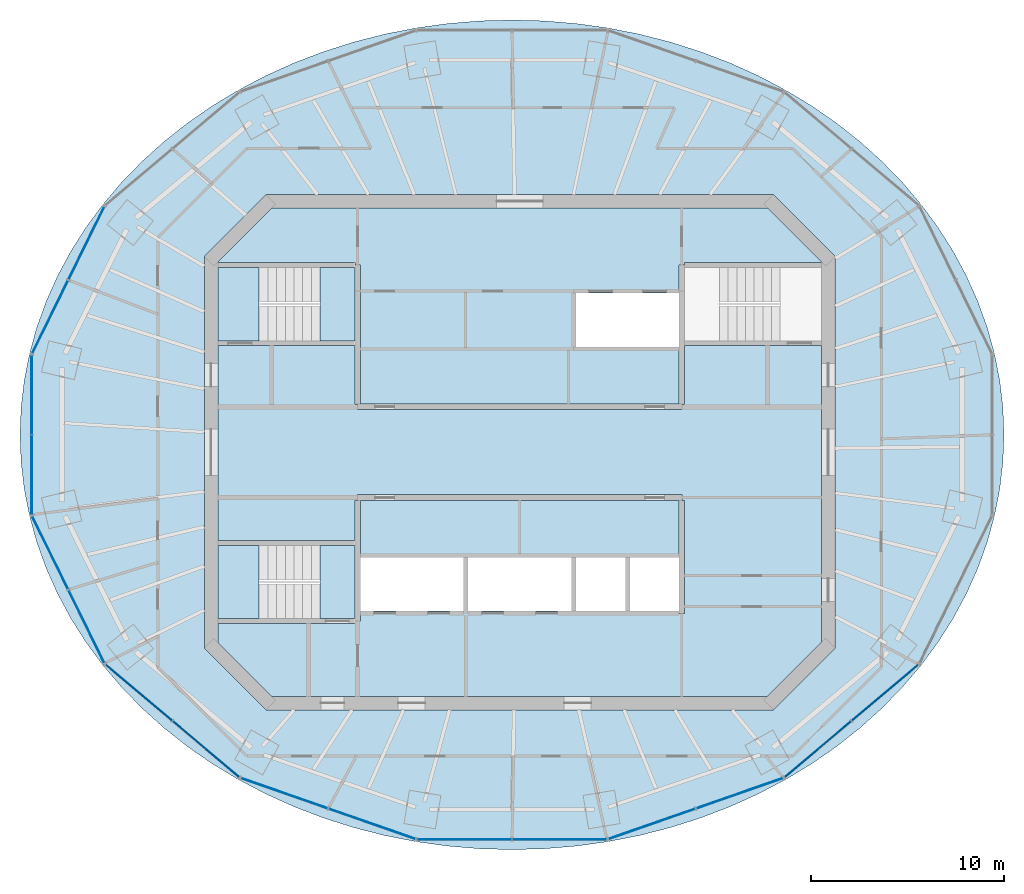
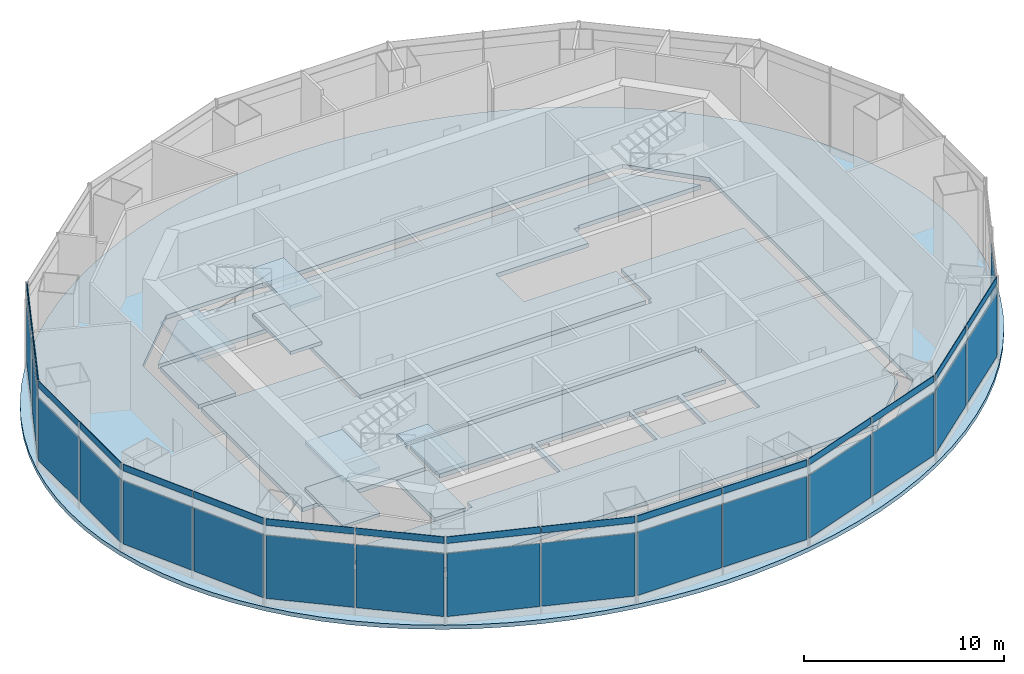
# One storey, part 7 of 13: 33 plates, 11 slabs, 19 elements without a shape of their own.
"""IFC4 building model written with IfcOpenShell, lengths in metres."""

from ifc_helpers import new_model, si_unit, direction, frame, origin, origin_2d, place, context, subcontext, project, spatial, polyline, rectangle, outline, extrude, material, layer, layer_set, type_object, element, aggregate, save


model = new_model("IFC4")

# Units and contexts
model_context = context("Model", 3, precision=1e-05, world=origin(), true_north=direction((0.0, 1.0)))
body_context = subcontext(model_context, "Body", "Model", "MODEL_VIEW")
ifc_project = project(units=[si_unit("LENGTHUNIT", "METRE"), si_unit("AREAUNIT", "SQUARE_METRE"), si_unit("VOLUMEUNIT", "CUBIC_METRE"), si_unit("PLANEANGLEUNIT", "RADIAN"), si_unit("MASSUNIT", "GRAM", prefix="KILO")], contexts=[model_context])

# Site, building, storey
site_placement = place(None, origin())
site = spatial("IfcSite", under=ifc_project, at=site_placement, CompositionType="ELEMENT")
building_placement = place(site_placement, origin())
building = spatial("IfcBuilding", under=site, at=building_placement, Name="Marenthal Gate Tower", CompositionType="ELEMENT")
storey_placement = place(building_placement, frame((0.0, 0.0, 401.949951171875)))
storey = spatial("IfcBuildingStorey", under=building, at=storey_placement, Name="L91", CompositionType="ELEMENT", Elevation=401.949951171875)

# Slabs
ifc_material_1 = material(Name="Concrete 50 MPa", Category="concrete")
ifc_layer_1 = layer(ifc_material_1, 0.25)
ifc_layer_set_1 = layer_set([ifc_layer_1], Name="Core floor slab 250")
slab_type_1 = type_object("IfcSlabType", Name="Core floor slab 250", PredefinedType="FLOOR", material=ifc_layer_set_1)
slab_1_placement = place(storey_placement, frame((0.0, 0.0, -0.25)))
element("IfcSlab", 1, at=slab_1_placement, inside=storey, type_object=slab_type_1, Name="Core floor L91", PredefinedType="FLOOR", context=body_context, shape_type="SweptSolid", body=[
    extrude(outline(polyline([(12.85498046875, -12.64990234375), (-12.85498046875, -12.64990234375), (-15.64990234375, -9.85498046875), (-15.64990234375, -8.875), (-8.550048828125, -8.875), (-8.550048828125, -8.75), (-8.25, -8.75), (-8.25, -8.239990234375), (-5.60009765625, -8.239990234375), (-2.909912109375, -8.239990234375), (-2.909912109375, -5.4599609375), (-5.60009765625, -5.4599609375), (-8.25, -5.4599609375), (-8.25, -2.5), (8.25, -2.5), (8.25, -5.4599609375), (5.7099609375, -5.4599609375), (5.7099609375, -8.239990234375), (8.25, -8.239990234375), (8.25, -8.35009765625), (8.550048828125, -8.35009765625), (8.550048828125, -2.5), (8.39990234375, -2.5), (8.39990234375, -2.199951171875), (-8.39990234375, -2.199951171875), (-8.39990234375, -2.5), (-8.550048828125, -2.5), (-8.550048828125, -4.574951171875), (-15.64990234375, -4.574951171875), (-15.64990234375, 5.52490234375), (-8.550048828125, 5.52490234375), (-8.550048828125, 2.5), (-8.39990234375, 2.5), (-8.39990234375, 2.199951171875), (8.39990234375, 2.199951171875), (8.39990234375, 2.5), (8.550048828125, 2.5), (8.550048828125, 5.52490234375), (15.64990234375, 5.52490234375), (15.64990234375, -9.85498046875), (12.85498046875, -12.64990234375)]), holes=[polyline([(0.0, -8.239990234375), (2.68994140625, -8.239990234375), (2.68994140625, -5.4599609375), (0.0, -5.4599609375), (-2.68994140625, -5.4599609375), (-2.68994140625, -8.239990234375), (0.0, -8.239990234375)]), polyline([(5.489990234375, -5.4599609375), (2.909912109375, -5.4599609375), (2.909912109375, -8.239990234375), (5.489990234375, -8.239990234375), (5.489990234375, -5.4599609375)])]), origin(), (0.0, 0.0, 1.0), 0.25),
])
slab_2_placement = place(storey_placement, frame((0.0, 0.0, -0.25)))
element("IfcSlab", 2, at=slab_2_placement, inside=storey, type_object=slab_type_1, Name="Core floor L91", PredefinedType="FLOOR", context=body_context, shape_type="SweptSolid", body=[
    extrude(outline(polyline([(15.64990234375, 9.824951171875), (8.550048828125, 9.824951171875), (8.550048828125, 9.699951171875), (8.25, 9.699951171875), (8.25, 8.35009765625), (8.25, 8.239990234375), (5.60009765625, 8.239990234375), (2.909912109375, 8.239990234375), (2.909912109375, 5.4599609375), (5.60009765625, 5.4599609375), (8.25, 5.4599609375), (8.25, 2.5), (-8.25, 2.5), (-8.25, 8.35009765625), (-8.25, 9.699951171875), (-8.550048828125, 9.699951171875), (-8.550048828125, 9.824951171875), (-15.64990234375, 9.824951171875), (-15.64990234375, 9.85498046875), (-12.85498046875, 12.64990234375), (12.85498046875, 12.64990234375), (15.64990234375, 9.85498046875), (15.64990234375, 9.824951171875)])), origin(), (0.0, 0.0, 1.0), 0.25),
])
slab_3_placement = place(storey_placement, frame((0.0, 0.0, -0.25)))
element("IfcSlab", 3, at=slab_3_placement, inside=storey, type_object=slab_type_1, Name="Core floor L91", PredefinedType="FLOOR", context=body_context, shape_type="SweptSolid", body=[
    extrude(outline(polyline([(-15.64990234375, 9.574951171875), (-13.5, 9.574951171875), (-13.5, 5.77490234375), (-15.64990234375, 5.77490234375), (-15.64990234375, 9.574951171875)])), origin(), (0.0, 0.0, 1.0), 0.25),
])
slab_4_placement = place(storey_placement, frame((0.0, 0.0, -0.25)))
element("IfcSlab", 4, at=slab_4_placement, inside=storey, type_object=slab_type_1, Name="Core floor L91", PredefinedType="FLOOR", context=body_context, shape_type="SweptSolid", body=[
    extrude(outline(polyline([(-8.550048828125, -4.824951171875), (-8.550048828125, -8.625), (-10.35009765625, -8.625), (-10.35009765625, -4.824951171875), (-8.550048828125, -4.824951171875)])), origin(), (0.0, 0.0, 1.0), 0.25),
])

# Curtain wall, plates
ifc_material_2 = material(Name="Aluminium and glass", Category="aluminium")
curtain_wall_type_1 = type_object("IfcCurtainWallType", Name="Curtain wall observation", PredefinedType="NOTDEFINED", material=ifc_material_2)
curtain_wall_1_placement = place(storey_placement, origin())
curtain_wall_1 = element("IfcCurtainWall", 5, at=curtain_wall_1_placement, inside=storey, type_object=curtain_wall_type_1, Name="Curtain wall L91 bay 7", PredefinedType="NOTDEFINED")
ifc_material_3 = material(Name="Glass, laminated impact-rated unit", Category="glass")
ifc_layer_2 = layer(ifc_material_3, 0.0400390625)
ifc_layer_set_2 = layer_set([ifc_layer_2], Name="Glass panel 40 observation")
plate_type_1 = type_object("IfcPlateType", Name="Glass panel 40 observation", PredefinedType="CURTAIN_PANEL", material=ifc_layer_set_2)
plate_1_placement = place(storey_placement, frame((-22.456787109375, 10.837890625, 0.449951171875), z_axis=(0.0, 0.0, 1.0), x_axis=(-0.441246798842, -0.897385793576, 0.0)))
plate_1 = element("IfcPlate", 6, at=plate_1_placement, type_object=plate_type_1, Name="Glass panel L91 bay 7.1", PredefinedType="CURTAIN_PANEL", context=body_context, shape_type="SweptSolid", body=[
    extrude(rectangle(XDim=4.194091796875, YDim=0.0400390625, at=origin_2d()), origin(), (0.0, 0.0, 1.0), 3.85009765625),
])
plate_2_placement = place(storey_placement, frame((-24.33837890625, 7.01123046875, 0.449951171875), z_axis=(0.0, 0.0, 1.0), x_axis=(-0.441246798842, -0.897385793576, 0.0)))
plate_2 = element("IfcPlate", 7, at=plate_2_placement, type_object=plate_type_1, Name="Glass panel L91 bay 7.2", PredefinedType="CURTAIN_PANEL", context=body_context, shape_type="SweptSolid", body=[
    extrude(rectangle(XDim=4.194091796875, YDim=0.0400390625, at=origin_2d()), origin(), (0.0, 0.0, 1.0), 3.85009765625),
])
aggregate(curtain_wall_1, [plate_1, plate_2])

curtain_wall_2_placement = place(storey_placement, origin())
curtain_wall_2 = element("IfcCurtainWall", 8, at=curtain_wall_2_placement, inside=storey, type_object=curtain_wall_type_1, Name="Curtain wall L91 bay 8", PredefinedType="NOTDEFINED")
plate_3_placement = place(storey_placement, frame((-25.292236328125, 2.970458984375, 0.449951171875), z_axis=(0.0, 0.0, 1.0), x_axis=(0.0, -1.0, 0.0)))
plate_3 = element("IfcPlate", 9, at=plate_3_placement, type_object=plate_type_1, Name="Glass panel L91 bay 8.1", PredefinedType="CURTAIN_PANEL", context=body_context, shape_type="SweptSolid", body=[
    extrude(rectangle(XDim=4.071044921875, YDim=0.0400390625, at=origin_2d()), origin(), (0.0, 0.0, 1.0), 3.85009765625),
])
plate_4_placement = place(storey_placement, frame((-25.292236328125, -1.17041015625, 0.449951171875), z_axis=(0.0, 0.0, 1.0), x_axis=(0.0, -1.0, 0.0)))
plate_4 = element("IfcPlate", 10, at=plate_4_placement, type_object=plate_type_1, Name="Glass panel L91 bay 8.2", PredefinedType="CURTAIN_PANEL", context=body_context, shape_type="SweptSolid", body=[
    extrude(rectangle(XDim=4.071044921875, YDim=0.0400390625, at=origin_2d()), origin(), (0.0, 0.0, 1.0), 3.85009765625),
])
aggregate(curtain_wall_2, [plate_3, plate_4])

curtain_wall_3_placement = place(storey_placement, origin())
curtain_wall_3 = element("IfcCurtainWall", 11, at=curtain_wall_3_placement, inside=storey, type_object=curtain_wall_type_1, Name="Curtain wall L91 bay 9", PredefinedType="NOTDEFINED")
plate_5_placement = place(storey_placement, frame((-24.33837890625, -5.211181640625, 0.449951171875), z_axis=(0.0, 0.0, 1.0), x_axis=(0.441246798842, -0.897385793576, 0.0)))
plate_5 = element("IfcPlate", 12, at=plate_5_placement, type_object=plate_type_1, Name="Glass panel L91 bay 9.1", PredefinedType="CURTAIN_PANEL", context=body_context, shape_type="SweptSolid", body=[
    extrude(rectangle(XDim=4.194091796875, YDim=0.0400390625, at=origin_2d()), origin(), (0.0, 0.0, 1.0), 3.85009765625),
])
plate_6_placement = place(storey_placement, frame((-22.456787109375, -9.037841796875, 0.449951171875), z_axis=(0.0, 0.0, 1.0), x_axis=(0.441246798842, -0.897385793576, 0.0)))
plate_6 = element("IfcPlate", 13, at=plate_6_placement, type_object=plate_type_1, Name="Glass panel L91 bay 9.2", PredefinedType="CURTAIN_PANEL", context=body_context, shape_type="SweptSolid", body=[
    extrude(rectangle(XDim=4.194091796875, YDim=0.0400390625, at=origin_2d()), origin(), (0.0, 0.0, 1.0), 3.85009765625),
])
aggregate(curtain_wall_3, [plate_5, plate_6])

curtain_wall_4_placement = place(storey_placement, origin())
curtain_wall_4 = element("IfcCurtainWall", 14, at=curtain_wall_4_placement, inside=storey, type_object=curtain_wall_type_1, Name="Curtain wall L91 bay 10", PredefinedType="NOTDEFINED")
plate_7_placement = place(storey_placement, frame((-19.74072265625, -12.46240234375, 0.449951171875), z_axis=(0.0, 0.0, 1.0), x_axis=(0.764802142616, -0.644265226944, 0.0)))
plate_7 = element("IfcPlate", 15, at=plate_7_placement, type_object=plate_type_1, Name="Glass panel L91 bay 10.1", PredefinedType="CURTAIN_PANEL", context=body_context, shape_type="SweptSolid", body=[
    extrude(rectangle(XDim=4.477783203125, YDim=0.0400390625, at=origin_2d()), origin(), (0.0, 0.0, 1.0), 3.85009765625),
])
plate_8_placement = place(storey_placement, frame((-16.262451171875, -15.392578125, 0.449951171875), z_axis=(0.0, 0.0, 1.0), x_axis=(0.764802142616, -0.644265226944, 0.0)))
plate_8 = element("IfcPlate", 16, at=plate_8_placement, type_object=plate_type_1, Name="Glass panel L91 bay 10.2", PredefinedType="CURTAIN_PANEL", context=body_context, shape_type="SweptSolid", body=[
    extrude(rectangle(XDim=4.477783203125, YDim=0.0400390625, at=origin_2d()), origin(), (0.0, 0.0, 1.0), 3.85009765625),
])
aggregate(curtain_wall_4, [plate_7, plate_8])

curtain_wall_5_placement = place(storey_placement, origin())
curtain_wall_5 = element("IfcCurtainWall", 17, at=curtain_wall_5_placement, inside=storey, type_object=curtain_wall_type_1, Name="Curtain wall L91 bay 11", PredefinedType="NOTDEFINED")
plate_9_placement = place(storey_placement, frame((-12.198974609375, -17.679931640625, 0.449951171875), z_axis=(0.0, 0.0, 1.0), x_axis=(0.944171666203, -0.329453888639, 0.0)))
plate_9 = element("IfcPlate", 18, at=plate_9_placement, type_object=plate_type_1, Name="Glass panel L91 bay 11.1", PredefinedType="CURTAIN_PANEL", context=body_context, shape_type="SweptSolid", body=[
    extrude(rectangle(XDim=4.7451171875, YDim=0.0400390625, at=origin_2d()), origin(), (0.0, 0.0, 1.0), 3.85009765625),
])
plate_10_placement = place(storey_placement, frame((-7.65283203125, -19.26611328125, 0.449951171875), z_axis=(0.0, 0.0, 1.0), x_axis=(0.944171666203, -0.329453888639, 0.0)))
plate_10 = element("IfcPlate", 19, at=plate_10_placement, type_object=plate_type_1, Name="Glass panel L91 bay 11.2", PredefinedType="CURTAIN_PANEL", context=body_context, shape_type="SweptSolid", body=[
    extrude(rectangle(XDim=4.7451171875, YDim=0.0400390625, at=origin_2d()), origin(), (0.0, 0.0, 1.0), 3.85009765625),
])
aggregate(curtain_wall_5, [plate_9, plate_10])

curtain_wall_6_placement = place(storey_placement, origin())
curtain_wall_6 = element("IfcCurtainWall", 20, at=curtain_wall_6_placement, inside=storey, type_object=curtain_wall_type_1, Name="Curtain wall L91 bay 12", PredefinedType="NOTDEFINED")
plate_11_placement = place(storey_placement, frame((-2.860595703125, -20.069091796875, 0.449951171875), z_axis=(0.0, 0.0, 1.0), x_axis=(1.0, 0.0, 0.0)))
plate_11 = element("IfcPlate", 21, at=plate_11_placement, type_object=plate_type_1, Name="Glass panel L91 bay 12.1", PredefinedType="CURTAIN_PANEL", context=body_context, shape_type="SweptSolid", body=[
    extrude(rectangle(XDim=4.851318359375, YDim=0.0400390625, at=origin_2d()), origin(), (0.0, 0.0, 1.0), 3.85009765625),
])
plate_12_placement = place(storey_placement, frame((2.060791015625, -20.069091796875, 0.449951171875), z_axis=(0.0, 0.0, 1.0), x_axis=(1.0, 0.0, 0.0)))
plate_12 = element("IfcPlate", 22, at=plate_12_placement, type_object=plate_type_1, Name="Glass panel L91 bay 12.2", PredefinedType="CURTAIN_PANEL", context=body_context, shape_type="SweptSolid", body=[
    extrude(rectangle(XDim=4.851318359375, YDim=0.0400390625, at=origin_2d()), origin(), (0.0, 0.0, 1.0), 3.85009765625),
])
aggregate(curtain_wall_6, [plate_11, plate_12])

curtain_wall_7_placement = place(storey_placement, origin())
curtain_wall_7 = element("IfcCurtainWall", 23, at=curtain_wall_7_placement, inside=storey, type_object=curtain_wall_type_1, Name="Curtain wall L91 bay 13", PredefinedType="NOTDEFINED")
plate_13_placement = place(storey_placement, frame((6.852783203125, -19.26611328125, 0.449951171875), z_axis=(0.0, 0.0, 1.0), x_axis=(0.944171666203, 0.329453888639, 0.0)))
plate_13 = element("IfcPlate", 24, at=plate_13_placement, type_object=plate_type_1, Name="Glass panel L91 bay 13.1", PredefinedType="CURTAIN_PANEL", context=body_context, shape_type="SweptSolid", body=[
    extrude(rectangle(XDim=4.7451171875, YDim=0.0400390625, at=origin_2d()), origin(), (0.0, 0.0, 1.0), 3.85009765625),
])
plate_14_placement = place(storey_placement, frame((11.39892578125, -17.679931640625, 0.449951171875), z_axis=(0.0, 0.0, 1.0), x_axis=(0.944171666203, 0.329453888639, 0.0)))
plate_14 = element("IfcPlate", 25, at=plate_14_placement, type_object=plate_type_1, Name="Glass panel L91 bay 13.2", PredefinedType="CURTAIN_PANEL", context=body_context, shape_type="SweptSolid", body=[
    extrude(rectangle(XDim=4.7451171875, YDim=0.0400390625, at=origin_2d()), origin(), (0.0, 0.0, 1.0), 3.85009765625),
])
aggregate(curtain_wall_7, [plate_13, plate_14])

curtain_wall_8_placement = place(storey_placement, origin())
curtain_wall_8 = element("IfcCurtainWall", 26, at=curtain_wall_8_placement, inside=storey, type_object=curtain_wall_type_1, Name="Curtain wall L91 bay 14", PredefinedType="NOTDEFINED")
plate_15_placement = place(storey_placement, frame((15.46240234375, -15.392333984375, 0.449951171875), z_axis=(0.0, 0.0, 1.0), x_axis=(0.764802142616, 0.644265226944, 0.0)))
plate_15 = element("IfcPlate", 27, at=plate_15_placement, type_object=plate_type_1, Name="Glass panel L91 bay 14.1", PredefinedType="CURTAIN_PANEL", context=body_context, shape_type="SweptSolid", body=[
    extrude(rectangle(XDim=4.477783203125, YDim=0.0400390625, at=origin_2d()), origin(), (0.0, 0.0, 1.0), 3.85009765625),
])
plate_16_placement = place(storey_placement, frame((18.940673828125, -12.46240234375, 0.449951171875), z_axis=(0.0, 0.0, 1.0), x_axis=(0.764802142616, 0.644265226944, 0.0)))
plate_16 = element("IfcPlate", 28, at=plate_16_placement, type_object=plate_type_1, Name="Glass panel L91 bay 14.2", PredefinedType="CURTAIN_PANEL", context=body_context, shape_type="SweptSolid", body=[
    extrude(rectangle(XDim=4.477783203125, YDim=0.0400390625, at=origin_2d()), origin(), (0.0, 0.0, 1.0), 3.85009765625),
])
aggregate(curtain_wall_8, [plate_15, plate_16])

# Curtain wall, plate
curtain_wall_9_placement = place(storey_placement, origin())
curtain_wall_9 = element("IfcCurtainWall", 29, at=curtain_wall_9_placement, inside=storey, type_object=curtain_wall_type_1, Name="Curtain wall L91 bay 15", PredefinedType="NOTDEFINED")
plate_17_placement = place(storey_placement, frame((21.65673828125, -9.037841796875, 0.449951171875), z_axis=(0.0, 0.0, 1.0), x_axis=(0.441246798842, 0.897385793576, 0.0)))
plate_17 = element("IfcPlate", 30, at=plate_17_placement, type_object=plate_type_1, Name="Glass panel L91 bay 15.1", PredefinedType="CURTAIN_PANEL", context=body_context, shape_type="SweptSolid", body=[
    extrude(rectangle(XDim=4.194091796875, YDim=0.0400390625, at=origin_2d()), origin(), (0.0, 0.0, 1.0), 3.85009765625),
])
aggregate(curtain_wall_9, [plate_17])

# Slab
ifc_material_4 = material(Name="Concrete 35 MPa", Category="concrete")
ifc_layer_3 = layer(ifc_material_4, 0.25)
ifc_layer_set_3 = layer_set([ifc_layer_3], Name="Observation floor slab 250")
slab_type_2 = type_object("IfcSlabType", Name="Observation floor slab 250", PredefinedType="FLOOR", material=ifc_layer_set_3)
slab_5_placement = place(storey_placement, frame((0.0, 0.0, -0.25)))
element("IfcSlab", 31, at=slab_5_placement, inside=storey, type_object=slab_type_2, Name="SL-L91-01", PredefinedType="FLOOR", context=body_context, shape_type="SweptSolid", body=[
    extrude(outline(polyline([(25.10009765625, 0.89990234375), (25.04541015625, 2.30615234375), (24.8818359375, 3.706298828125), (24.610107421875, 5.094482421875), (24.231201171875, 6.464599609375), (23.74658203125, 7.810791015625), (23.158935546875, 9.127685546875), (22.47021484375, 10.4091796875), (21.68359375, 11.64990234375), (20.802490234375, 12.8447265625), (19.83056640625, 13.98828125), (18.77197265625, 15.075927734375), (17.631103515625, 16.102783203125), (16.413330078125, 17.064697265625), (15.123291015625, 17.95703125), (13.76708984375, 18.776611328125), (12.35009765625, 19.51953125), (10.87841796875, 20.182861328125), (9.3583984375, 20.763427734375), (7.796630859375, 21.259033203125), (6.199951171875, 21.66748046875), (4.57470703125, 21.98681640625), (2.928466796875, 22.216064453125), (1.267822265625, 22.35400390625), (-0.39990234375, 22.39990234375), (-2.06787109375, 22.35400390625), (-3.728515625, 22.216064453125), (-5.374755859375, 21.98681640625), (-7.0, 21.66748046875), (-8.5966796875, 21.259033203125), (-10.158447265625, 20.763427734375), (-11.678466796875, 20.182861328125), (-13.14990234375, 19.51953125), (-14.56689453125, 18.776611328125), (-15.92333984375, 17.95703125), (-17.21337890625, 17.064697265625), (-18.43115234375, 16.102783203125), (-19.572021484375, 15.075927734375), (-20.630615234375, 13.98828125), (-21.6025390625, 12.8447265625), (-22.483642578125, 11.64990234375), (-23.270263671875, 10.4091796875), (-23.958984375, 9.127685546875), (-24.546630859375, 7.810791015625), (-25.031005859375, 6.464599609375), (-25.409912109375, 5.094482421875), (-25.681884765625, 3.706298828125), (-25.845458984375, 2.30615234375), (-25.89990234375, 0.89990234375), (-25.845458984375, -0.506103515625), (-25.681884765625, -1.90625), (-25.409912109375, -3.29443359375), (-25.031005859375, -4.66455078125), (-24.546630859375, -6.010986328125), (-23.958984375, -7.32763671875), (-23.270263671875, -8.609130859375), (-22.483642578125, -9.85009765625), (-21.6025390625, -11.044921875), (-20.630615234375, -12.1884765625), (-19.572021484375, -13.27587890625), (-18.43115234375, -14.302734375), (-17.21337890625, -15.2646484375), (-15.92333984375, -16.156982421875), (-14.56689453125, -16.9765625), (-13.14990234375, -17.719482421875), (-11.678466796875, -18.3828125), (-10.158447265625, -18.96337890625), (-8.5966796875, -19.458984375), (-7.0, -19.867431640625), (-5.374755859375, -20.18701171875), (-3.728515625, -20.416015625), (-2.06787109375, -20.553955078125), (-0.39990234375, -20.60009765625), (1.267822265625, -20.553955078125), (2.928466796875, -20.416015625), (4.57470703125, -20.18701171875), (6.199951171875, -19.867431640625), (7.796630859375, -19.458984375), (9.3583984375, -18.96337890625), (10.87841796875, -18.3828125), (12.35009765625, -17.719482421875), (13.76708984375, -16.9765625), (15.123291015625, -16.156982421875), (16.413330078125, -15.2646484375), (17.631103515625, -14.302734375), (18.77197265625, -13.27587890625), (19.83056640625, -12.1884765625), (20.802490234375, -11.044921875), (21.68359375, -9.85009765625), (22.47021484375, -8.609130859375), (23.158935546875, -7.32763671875), (23.74658203125, -6.010986328125), (24.231201171875, -4.66455078125), (24.610107421875, -3.29443359375), (24.8818359375, -1.90625), (25.04541015625, -0.506103515625), (25.10009765625, 0.89990234375)]), holes=[polyline([(13.14501953125, -13.35009765625), (16.35009765625, -10.14501953125), (16.35009765625, 10.14501953125), (13.14501953125, 13.35009765625), (-13.14501953125, 13.35009765625), (-16.35009765625, 10.14501953125), (-16.35009765625, -10.14501953125), (-13.14501953125, -13.35009765625), (13.14501953125, -13.35009765625)])]), origin(), (0.0, 0.0, 1.0), 0.25),
])

# Stair, slabs
ifc_material_5 = material(Name="Concrete 40 MPa", Category="concrete")
stair_type = type_object("IfcStairType", Name="Exit stair 1800", PredefinedType="HALF_TURN_STAIR", material=ifc_material_5)
stair_1_placement = place(storey_placement, origin())
stair_1 = element("IfcStair", 32, at=stair_1_placement, inside=storey, type_object=stair_type, Name="Stair ST1", PredefinedType="HALF_TURN_STAIR")
ifc_material_6 = material(Name="Concrete 40 MPa", Category="concrete")
ifc_layer_4 = layer(ifc_material_6, 0.199951171875)
ifc_layer_set_4 = layer_set([ifc_layer_4], Name="Stair landing 200")
slab_type_3 = type_object("IfcSlabType", Name="Stair landing 200", PredefinedType="LANDING", material=ifc_layer_set_4)
slab_6_placement = place(storey_placement, frame((0.0, 0.0, 1.199951171875)))
slab_6 = element("IfcSlab", 33, at=slab_6_placement, type_object=slab_type_3, Name="ST1 landing 1", PredefinedType="LANDING", context=body_context, shape_type="SweptSolid", body=[
    extrude(outline(polyline([(-10.35009765625, 5.77490234375), (-8.550048828125, 5.77490234375), (-8.550048828125, 9.574951171875), (-10.35009765625, 9.574951171875), (-10.35009765625, 5.77490234375)])), origin(), (0.0, 0.0, 1.0), 0.2001953125),
])
slab_7_placement = place(storey_placement, frame((0.0, 0.0, 2.60009765625)))
slab_7 = element("IfcSlab", 34, at=slab_7_placement, type_object=slab_type_3, Name="ST1 landing 2", PredefinedType="LANDING", context=body_context, shape_type="SweptSolid", body=[
    extrude(outline(polyline([(-15.64990234375, 5.77490234375), (-13.5, 5.77490234375), (-13.5, 9.574951171875), (-15.64990234375, 9.574951171875), (-15.64990234375, 5.77490234375)])), origin(), (0.0, 0.0, 1.0), 0.199951171875),
])
slab_8_placement = place(storey_placement, frame((0.0, 0.0, 4.0)))
slab_8 = element("IfcSlab", 35, at=slab_8_placement, type_object=slab_type_3, Name="ST1 landing 3", PredefinedType="LANDING", context=body_context, shape_type="SweptSolid", body=[
    extrude(outline(polyline([(-10.35009765625, 5.77490234375), (-8.550048828125, 5.77490234375), (-8.550048828125, 9.574951171875), (-10.35009765625, 9.574951171875), (-10.35009765625, 5.77490234375)])), origin(), (0.0, 0.0, 1.0), 0.199951171875),
])
aggregate(stair_1, [slab_6, slab_7, slab_8])

stair_2_placement = place(storey_placement, origin())
stair_2 = element("IfcStair", 36, at=stair_2_placement, inside=storey, type_object=stair_type, Name="Stair ST2", PredefinedType="HALF_TURN_STAIR")
slab_9_placement = place(storey_placement, frame((0.0, 0.0, 1.199951171875)))
slab_9 = element("IfcSlab", 37, at=slab_9_placement, type_object=slab_type_3, Name="ST2 landing 1", PredefinedType="LANDING", context=body_context, shape_type="SweptSolid", body=[
    extrude(outline(polyline([(-15.64990234375, -8.625), (-13.5, -8.625), (-13.5, -4.824951171875), (-15.64990234375, -4.824951171875), (-15.64990234375, -8.625)])), origin(), (0.0, 0.0, 1.0), 0.2001953125),
])
slab_10_placement = place(storey_placement, frame((0.0, 0.0, 2.60009765625)))
slab_10 = element("IfcSlab", 38, at=slab_10_placement, type_object=slab_type_3, Name="ST2 landing 2", PredefinedType="LANDING", context=body_context, shape_type="SweptSolid", body=[
    extrude(outline(polyline([(-10.35009765625, -8.625), (-8.550048828125, -8.625), (-8.550048828125, -4.824951171875), (-10.35009765625, -4.824951171875), (-10.35009765625, -8.625)])), origin(), (0.0, 0.0, 1.0), 0.199951171875),
])
slab_11_placement = place(storey_placement, frame((0.0, 0.0, 4.0)))
slab_11 = element("IfcSlab", 39, at=slab_11_placement, type_object=slab_type_3, Name="ST2 landing 3", PredefinedType="LANDING", context=body_context, shape_type="SweptSolid", body=[
    extrude(outline(polyline([(-15.64990234375, -8.625), (-13.5, -8.625), (-13.5, -4.824951171875), (-15.64990234375, -4.824951171875), (-15.64990234375, -8.625)])), origin(), (0.0, 0.0, 1.0), 0.199951171875),
])
aggregate(stair_2, [slab_9, slab_10, slab_11])

# Curtain wall, plates
ifc_material_7 = material(Name="Aluminium and glass", Category="aluminium")
curtain_wall_type_2 = type_object("IfcCurtainWallType", Name="Curtain wall crown clad", PredefinedType="NOTDEFINED", material=ifc_material_7)
curtain_wall_10_placement = place(storey_placement, origin())
curtain_wall_10 = element("IfcCurtainWall", 40, at=curtain_wall_10_placement, inside=storey, type_object=curtain_wall_type_2, Name="Curtain wall L91 bay 7 head band", PredefinedType="NOTDEFINED")
ifc_material_8 = material(Name="Terracotta cladding panel", Category="masonry")
ifc_layer_5 = layer(ifc_material_8, 0.031982421875)
ifc_layer_set_5 = layer_set([ifc_layer_5], Name="Terracotta panel 32 crown clad")
plate_type_2 = type_object("IfcPlateType", Name="Terracotta panel 32 crown clad", PredefinedType="CURTAIN_PANEL", material=ifc_layer_set_5)
plate_18_placement = place(storey_placement, frame((-22.456787109375, 10.837890625, 4.900146484375), z_axis=(0.0, 0.0, 1.0), x_axis=(-0.441246798842, -0.897385793576, 0.0)))
plate_18 = element("IfcPlate", 41, at=plate_18_placement, type_object=plate_type_2, Name="Terracotta panel L91 bay 7.1 head band", PredefinedType="CURTAIN_PANEL", context=body_context, shape_type="SweptSolid", body=[
    extrude(rectangle(XDim=4.2041015625, YDim=0.031982421875, at=origin_2d()), origin(), (0.0, 0.0, 1.0), 0.39990234375),
])
plate_19_placement = place(storey_placement, frame((-24.33837890625, 7.01123046875, 4.900146484375), z_axis=(0.0, 0.0, 1.0), x_axis=(-0.441246798842, -0.897385793576, 0.0)))
plate_19 = element("IfcPlate", 42, at=plate_19_placement, type_object=plate_type_2, Name="Terracotta panel L91 bay 7.2 head band", PredefinedType="CURTAIN_PANEL", context=body_context, shape_type="SweptSolid", body=[
    extrude(rectangle(XDim=4.2041015625, YDim=0.031982421875, at=origin_2d()), origin(), (0.0, 0.0, 1.0), 0.39990234375),
])
aggregate(curtain_wall_10, [plate_18, plate_19])

curtain_wall_11_placement = place(storey_placement, origin())
curtain_wall_11 = element("IfcCurtainWall", 43, at=curtain_wall_11_placement, inside=storey, type_object=curtain_wall_type_2, Name="Curtain wall L91 bay 8 head band", PredefinedType="NOTDEFINED")
plate_20_placement = place(storey_placement, frame((-25.292236328125, 2.970458984375, 4.900146484375), z_axis=(0.0, 0.0, 1.0), x_axis=(0.0, -1.0, 0.0)))
plate_20 = element("IfcPlate", 44, at=plate_20_placement, type_object=plate_type_2, Name="Terracotta panel L91 bay 8.1 head band", PredefinedType="CURTAIN_PANEL", context=body_context, shape_type="SweptSolid", body=[
    extrude(rectangle(XDim=4.0810546875, YDim=0.031982421875, at=origin_2d()), origin(), (0.0, 0.0, 1.0), 0.39990234375),
])
plate_21_placement = place(storey_placement, frame((-25.292236328125, -1.17041015625, 4.900146484375), z_axis=(0.0, 0.0, 1.0), x_axis=(0.0, -1.0, 0.0)))
plate_21 = element("IfcPlate", 45, at=plate_21_placement, type_object=plate_type_2, Name="Terracotta panel L91 bay 8.2 head band", PredefinedType="CURTAIN_PANEL", context=body_context, shape_type="SweptSolid", body=[
    extrude(rectangle(XDim=4.0810546875, YDim=0.031982421875, at=origin_2d()), origin(), (0.0, 0.0, 1.0), 0.39990234375),
])
aggregate(curtain_wall_11, [plate_20, plate_21])

curtain_wall_12_placement = place(storey_placement, origin())
curtain_wall_12 = element("IfcCurtainWall", 46, at=curtain_wall_12_placement, inside=storey, type_object=curtain_wall_type_2, Name="Curtain wall L91 bay 9 head band", PredefinedType="NOTDEFINED")
plate_22_placement = place(storey_placement, frame((-24.33837890625, -5.211181640625, 4.900146484375), z_axis=(0.0, 0.0, 1.0), x_axis=(0.441246798842, -0.897385793576, 0.0)))
plate_22 = element("IfcPlate", 47, at=plate_22_placement, type_object=plate_type_2, Name="Terracotta panel L91 bay 9.1 head band", PredefinedType="CURTAIN_PANEL", context=body_context, shape_type="SweptSolid", body=[
    extrude(rectangle(XDim=4.2041015625, YDim=0.031982421875, at=origin_2d()), origin(), (0.0, 0.0, 1.0), 0.39990234375),
])
plate_23_placement = place(storey_placement, frame((-22.456787109375, -9.037841796875, 4.900146484375), z_axis=(0.0, 0.0, 1.0), x_axis=(0.441246798842, -0.897385793576, 0.0)))
plate_23 = element("IfcPlate", 48, at=plate_23_placement, type_object=plate_type_2, Name="Terracotta panel L91 bay 9.2 head band", PredefinedType="CURTAIN_PANEL", context=body_context, shape_type="SweptSolid", body=[
    extrude(rectangle(XDim=4.2041015625, YDim=0.031982421875, at=origin_2d()), origin(), (0.0, 0.0, 1.0), 0.39990234375),
])
aggregate(curtain_wall_12, [plate_22, plate_23])

curtain_wall_13_placement = place(storey_placement, origin())
curtain_wall_13 = element("IfcCurtainWall", 49, at=curtain_wall_13_placement, inside=storey, type_object=curtain_wall_type_2, Name="Curtain wall L91 bay 10 head band", PredefinedType="NOTDEFINED")
plate_24_placement = place(storey_placement, frame((-19.74072265625, -12.46240234375, 4.900146484375), z_axis=(0.0, 0.0, 1.0), x_axis=(0.764802142616, -0.644265226944, 0.0)))
plate_24 = element("IfcPlate", 50, at=plate_24_placement, type_object=plate_type_2, Name="Terracotta panel L91 bay 10.1 head band", PredefinedType="CURTAIN_PANEL", context=body_context, shape_type="SweptSolid", body=[
    extrude(rectangle(XDim=4.48779296875, YDim=0.031982421875, at=origin_2d()), origin(), (0.0, 0.0, 1.0), 0.39990234375),
])
plate_25_placement = place(storey_placement, frame((-16.262451171875, -15.392578125, 4.900146484375), z_axis=(0.0, 0.0, 1.0), x_axis=(0.764802142616, -0.644265226944, 0.0)))
plate_25 = element("IfcPlate", 51, at=plate_25_placement, type_object=plate_type_2, Name="Terracotta panel L91 bay 10.2 head band", PredefinedType="CURTAIN_PANEL", context=body_context, shape_type="SweptSolid", body=[
    extrude(rectangle(XDim=4.48779296875, YDim=0.031982421875, at=origin_2d()), origin(), (0.0, 0.0, 1.0), 0.39990234375),
])
aggregate(curtain_wall_13, [plate_24, plate_25])

curtain_wall_14_placement = place(storey_placement, origin())
curtain_wall_14 = element("IfcCurtainWall", 52, at=curtain_wall_14_placement, inside=storey, type_object=curtain_wall_type_2, Name="Curtain wall L91 bay 11 head band", PredefinedType="NOTDEFINED")
plate_26_placement = place(storey_placement, frame((-12.198974609375, -17.679931640625, 4.900146484375), z_axis=(0.0, 0.0, 1.0), x_axis=(0.944171666203, -0.329453888639, 0.0)))
plate_26 = element("IfcPlate", 53, at=plate_26_placement, type_object=plate_type_2, Name="Terracotta panel L91 bay 11.1 head band", PredefinedType="CURTAIN_PANEL", context=body_context, shape_type="SweptSolid", body=[
    extrude(rectangle(XDim=4.7548828125, YDim=0.031982421875, at=origin_2d()), origin(), (0.0, 0.0, 1.0), 0.39990234375),
])
plate_27_placement = place(storey_placement, frame((-7.65283203125, -19.26611328125, 4.900146484375), z_axis=(0.0, 0.0, 1.0), x_axis=(0.944171666203, -0.329453888639, 0.0)))
plate_27 = element("IfcPlate", 54, at=plate_27_placement, type_object=plate_type_2, Name="Terracotta panel L91 bay 11.2 head band", PredefinedType="CURTAIN_PANEL", context=body_context, shape_type="SweptSolid", body=[
    extrude(rectangle(XDim=4.7548828125, YDim=0.031982421875, at=origin_2d()), origin(), (0.0, 0.0, 1.0), 0.39990234375),
])
aggregate(curtain_wall_14, [plate_26, plate_27])

curtain_wall_15_placement = place(storey_placement, origin())
curtain_wall_15 = element("IfcCurtainWall", 55, at=curtain_wall_15_placement, inside=storey, type_object=curtain_wall_type_2, Name="Curtain wall L91 bay 12 head band", PredefinedType="NOTDEFINED")
plate_28_placement = place(storey_placement, frame((-2.860595703125, -20.069091796875, 4.900146484375), z_axis=(0.0, 0.0, 1.0), x_axis=(1.0, 0.0, 0.0)))
plate_28 = element("IfcPlate", 56, at=plate_28_placement, type_object=plate_type_2, Name="Terracotta panel L91 bay 12.1 head band", PredefinedType="CURTAIN_PANEL", context=body_context, shape_type="SweptSolid", body=[
    extrude(rectangle(XDim=4.861328125, YDim=0.031982421875, at=origin_2d()), origin(), (0.0, 0.0, 1.0), 0.39990234375),
])
plate_29_placement = place(storey_placement, frame((2.060791015625, -20.069091796875, 4.900146484375), z_axis=(0.0, 0.0, 1.0), x_axis=(1.0, 0.0, 0.0)))
plate_29 = element("IfcPlate", 57, at=plate_29_placement, type_object=plate_type_2, Name="Terracotta panel L91 bay 12.2 head band", PredefinedType="CURTAIN_PANEL", context=body_context, shape_type="SweptSolid", body=[
    extrude(rectangle(XDim=4.861328125, YDim=0.031982421875, at=origin_2d()), origin(), (0.0, 0.0, 1.0), 0.39990234375),
])
aggregate(curtain_wall_15, [plate_28, plate_29])

curtain_wall_16_placement = place(storey_placement, origin())
curtain_wall_16 = element("IfcCurtainWall", 58, at=curtain_wall_16_placement, inside=storey, type_object=curtain_wall_type_2, Name="Curtain wall L91 bay 13 head band", PredefinedType="NOTDEFINED")
plate_30_placement = place(storey_placement, frame((6.852783203125, -19.26611328125, 4.900146484375), z_axis=(0.0, 0.0, 1.0), x_axis=(0.944171666203, 0.329453888639, 0.0)))
plate_30 = element("IfcPlate", 59, at=plate_30_placement, type_object=plate_type_2, Name="Terracotta panel L91 bay 13.1 head band", PredefinedType="CURTAIN_PANEL", context=body_context, shape_type="SweptSolid", body=[
    extrude(rectangle(XDim=4.7548828125, YDim=0.031982421875, at=origin_2d()), origin(), (0.0, 0.0, 1.0), 0.39990234375),
])
plate_31_placement = place(storey_placement, frame((11.39892578125, -17.679931640625, 4.900146484375), z_axis=(0.0, 0.0, 1.0), x_axis=(0.944171666203, 0.329453888639, 0.0)))
plate_31 = element("IfcPlate", 60, at=plate_31_placement, type_object=plate_type_2, Name="Terracotta panel L91 bay 13.2 head band", PredefinedType="CURTAIN_PANEL", context=body_context, shape_type="SweptSolid", body=[
    extrude(rectangle(XDim=4.7548828125, YDim=0.031982421875, at=origin_2d()), origin(), (0.0, 0.0, 1.0), 0.39990234375),
])
aggregate(curtain_wall_16, [plate_30, plate_31])

curtain_wall_17_placement = place(storey_placement, origin())
curtain_wall_17 = element("IfcCurtainWall", 61, at=curtain_wall_17_placement, inside=storey, type_object=curtain_wall_type_2, Name="Curtain wall L91 bay 14 head band", PredefinedType="NOTDEFINED")
plate_32_placement = place(storey_placement, frame((15.46240234375, -15.392333984375, 4.900146484375), z_axis=(0.0, 0.0, 1.0), x_axis=(0.764802142616, 0.644265226944, 0.0)))
plate_32 = element("IfcPlate", 62, at=plate_32_placement, type_object=plate_type_2, Name="Terracotta panel L91 bay 14.1 head band", PredefinedType="CURTAIN_PANEL", context=body_context, shape_type="SweptSolid", body=[
    extrude(rectangle(XDim=4.48779296875, YDim=0.031982421875, at=origin_2d()), origin(), (0.0, 0.0, 1.0), 0.39990234375),
])
plate_33_placement = place(storey_placement, frame((18.940673828125, -12.46240234375, 4.900146484375), z_axis=(0.0, 0.0, 1.0), x_axis=(0.764802142616, 0.644265226944, 0.0)))
plate_33 = element("IfcPlate", 63, at=plate_33_placement, type_object=plate_type_2, Name="Terracotta panel L91 bay 14.2 head band", PredefinedType="CURTAIN_PANEL", context=body_context, shape_type="SweptSolid", body=[
    extrude(rectangle(XDim=4.48779296875, YDim=0.031982421875, at=origin_2d()), origin(), (0.0, 0.0, 1.0), 0.39990234375),
])
aggregate(curtain_wall_17, [plate_32, plate_33])

save(model, "model.ifc")
